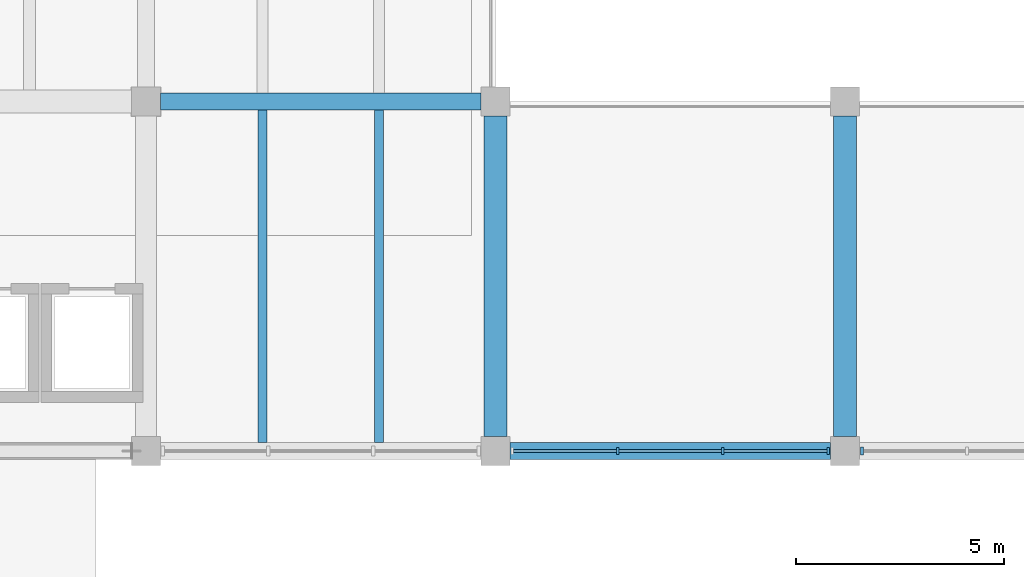
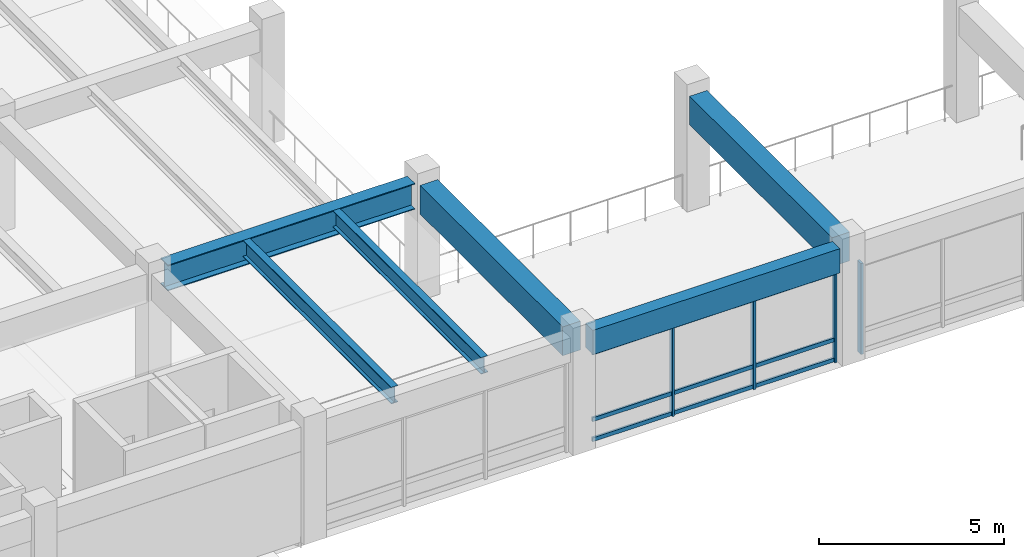
# One storey, part 48 of 132: 13 members, 6 beams, 2 elements without a shape of their own.
"""IFC4 building model written with IfcOpenShell, lengths in metres."""

from ifc_helpers import new_model, si_unit, direction, frame, origin, origin_2d, place, context, subcontext, project, spatial, rectangle, i_section, extrude, material, material_profile, profile_set, type_object, element, aggregate, save


model = new_model("IFC4")

# Units and contexts
model_context = context("Model", 3, precision=1e-05, world=origin(), true_north=direction((0.0, 1.0)))
body_context = subcontext(model_context, "Body", "Model", "MODEL_VIEW")
ifc_project = project(units=[si_unit("LENGTHUNIT", "METRE"), si_unit("AREAUNIT", "SQUARE_METRE"), si_unit("VOLUMEUNIT", "CUBIC_METRE"), si_unit("PLANEANGLEUNIT", "RADIAN"), si_unit("MASSUNIT", "GRAM", prefix="KILO")], contexts=[model_context])

# Site, building, storey
site_placement = place(None, origin())
site = spatial("IfcSite", under=ifc_project, at=site_placement, CompositionType="ELEMENT")
building_placement = place(site_placement, origin())
building = spatial("IfcBuilding", under=site, at=building_placement, Name="Cumbredor Promenade Congress Hotel", CompositionType="ELEMENT")
storey_placement = place(building_placement, frame((0.0, 0.0, 7.56005859375)))
storey = spatial("IfcBuildingStorey", under=building, at=storey_placement, Name="L02", CompositionType="ELEMENT", Elevation=7.56005859375)

# Beams
ifc_material_1 = material(Name="Concrete C40/50", Category="concrete")
ifc_material_profile_1 = material_profile(ifc_material_1, rectangle(XDim=0.550048828125, YDim=0.949951171875, at=origin_2d()), Name="RC BEAM 550x950")
ifc_profile_set_1 = profile_set([ifc_material_profile_1], Name="Concrete C40/50")
beam_type_1 = type_object("IfcBeamType", Name="BM-RC-550x950", PredefinedType="BEAM", material=ifc_profile_set_1)
for number, where, z_axis, x_axis, name in (
    (1, (117.60009765625, 84.35009765625, 3.324951171875), (0.0, 1.0, 0.0), (-1.0, 0.0, 0.0), "L03 Y-Grid Beam 175"),
    (2, (126.0, 84.35009765625, 3.324951171875), (0.0, 1.0, 0.0), (-1.0, 0.0, 0.0), "L03 Y-Grid Beam 179"),
):
    element("IfcBeam", number, at=place(storey_placement, frame(where, z_axis=z_axis, x_axis=x_axis)), inside=storey, type_object=beam_type_1, Name=name, PredefinedType="BEAM", context=body_context, shape_type="SweptSolid", body=[
        extrude(rectangle(XDim=0.550048828125, YDim=0.949951171875, at=origin_2d()), origin(), (0.0, 0.0, 1.0), 7.699951171875),
    ])
ifc_material_2 = material(Name="Steel ASTM A992 Grade 50", Category="steel")
ifc_material_profile_2 = material_profile(ifc_material_2, i_section(OverallWidth=0.39990234375, OverallDepth=0.85498046875, WebThickness=0.018310546875, FlangeThickness=0.029296875, at=origin_2d()), Name="W33X201")
ifc_profile_set_2 = profile_set([ifc_material_profile_2], Name="Steel ASTM A992 Grade 50")
beam_type_2 = type_object("IfcBeamType", Name="BM-W33X201", PredefinedType="BEAM", material=ifc_profile_set_2)
beam_1_placement = place(storey_placement, frame((109.550048828125, 92.39990234375, 3.37255859375), z_axis=(1.0, 0.0, 0.0), x_axis=(0.0, 1.0, 0.0)))
element("IfcBeam", 3, at=beam_1_placement, inside=storey, type_object=beam_type_2, Name="L03 X-Grid Beam 167", PredefinedType="BEAM", context=body_context, shape_type="SweptSolid", body=[
    extrude(i_section(OverallWidth=0.39990234375, OverallDepth=0.85498046875, WebThickness=0.018310546875, FlangeThickness=0.029296875, at=origin_2d()), origin(), (0.0, 0.0, 1.0), 7.699951171875),
])

# Curtain wall, members
ifc_material_3 = material(Name="Thermally broken anodized aluminium and low-E glass", Category="aluminium")
curtain_wall_type = type_object("IfcCurtainWallType", Name="Unitised Forum Curtain Wall CW-02", PredefinedType="NOTDEFINED", material=ifc_material_3)
curtain_wall_1_placement = place(storey_placement, origin())
curtain_wall_1 = element("IfcCurtainWall", 4, at=curtain_wall_1_placement, inside=storey, type_object=curtain_wall_type, Name="L02 Pre-Function and Breakout Meeting Forum South Curtain Wall 4", PredefinedType="NOTDEFINED")
ifc_material_4 = material(Name="Thermally broken anodized aluminium", Category="aluminium")
ifc_material_profile_3 = material_profile(ifc_material_4, rectangle(XDim=0.06494140625, YDim=0.159912109375, at=origin_2d()), Name="ALU MULLION 65x160")
ifc_profile_set_3 = profile_set([ifc_material_profile_3], Name="Thermally broken anodized aluminium")
member_type_1 = type_object("IfcMemberType", Name="Curtain Wall Mullion ML-01", PredefinedType="MULLION", material=ifc_profile_set_3)
member_1_placement = place(storey_placement, frame((120.534912109375, 84.0, -0.008056640625), z_axis=(0.0, 0.0, 1.0), x_axis=(1.0, 0.0, 0.0)))
member_1 = element("IfcMember", 5, at=member_1_placement, type_object=member_type_1, Name="L02 Pre-Function and Breakout Meeting Forum South Curtain Wall 4 Mullion 2", PredefinedType="MULLION", context=body_context, shape_type="SweptSolid", body=[
    extrude(rectangle(XDim=0.06494140625, YDim=0.159912109375, at=origin_2d()), origin(), (0.0, 0.0, 1.0), 3.0009765625),
])
member_2_placement = place(storey_placement, frame((123.06494140625, 84.0, -0.008056640625), z_axis=(0.0, 0.0, 1.0), x_axis=(1.0, 0.0, 0.0)))
member_2 = element("IfcMember", 6, at=member_2_placement, type_object=member_type_1, Name="L02 Pre-Function and Breakout Meeting Forum South Curtain Wall 4 Mullion 3", PredefinedType="MULLION", context=body_context, shape_type="SweptSolid", body=[
    extrude(rectangle(XDim=0.06494140625, YDim=0.159912109375, at=origin_2d()), origin(), (0.0, 0.0, 1.0), 3.0009765625),
])
member_3_placement = place(storey_placement, frame((125.594970703125, 84.0, -0.008056640625), z_axis=(0.0, 0.0, 1.0), x_axis=(1.0, 0.0, 0.0)))
member_3 = element("IfcMember", 7, at=member_3_placement, type_object=member_type_1, Name="L02 Pre-Function and Breakout Meeting Forum South Curtain Wall 4 Mullion 4", PredefinedType="MULLION", context=body_context, shape_type="SweptSolid", body=[
    extrude(rectangle(XDim=0.06494140625, YDim=0.159912109375, at=origin_2d()), origin(), (0.0, 0.0, 1.0), 3.0009765625),
])

# Curtain wall, member
curtain_wall_2_placement = place(storey_placement, origin())
curtain_wall_2 = element("IfcCurtainWall", 8, at=curtain_wall_2_placement, inside=storey, type_object=curtain_wall_type, Name="L02 Pre-Function and Breakout Meeting Forum South Curtain Wall 5", PredefinedType="NOTDEFINED")
ifc_material_profile_4 = material_profile(ifc_material_4, rectangle(XDim=0.074951171875, YDim=0.199951171875, at=origin_2d()), Name="ALU MULLION 75x200")
ifc_profile_set_4 = profile_set([ifc_material_profile_4], Name="Thermally broken anodized aluminium")
member_type_2 = type_object("IfcMemberType", Name="Curtain Wall Mullion ML-02", PredefinedType="MULLION", material=ifc_profile_set_4)
member_4_placement = place(storey_placement, frame((126.405029296875, 84.0, -0.008056640625), z_axis=(0.0, 0.0, 1.0), x_axis=(1.0, 0.0, 0.0)))
member_4 = element("IfcMember", 9, at=member_4_placement, type_object=member_type_2, Name="L02 Pre-Function and Breakout Meeting Forum South Curtain Wall 5 Mullion 1", PredefinedType="MULLION", context=body_context, shape_type="SweptSolid", body=[
    extrude(rectangle(XDim=0.074951171875, YDim=0.199951171875, at=origin_2d()), origin(), (0.0, 0.0, 1.0), 3.0009765625),
])
aggregate(curtain_wall_2, [member_4])

# Member
ifc_material_profile_5 = material_profile(ifc_material_4, rectangle(XDim=0.06494140625, YDim=0.1298828125, at=origin_2d()), Name="ALU TRANSOM 65x130")
ifc_profile_set_5 = profile_set([ifc_material_profile_5], Name="Thermally broken anodized aluminium")
member_type_3 = type_object("IfcMemberType", Name="Curtain Wall Transom TR-01", PredefinedType="USERDEFINED", material=ifc_profile_set_5)
member_5_placement = place(storey_placement, frame((118.03759765625, 84.0, 0.06005859375), z_axis=(1.0, 0.0, 0.0), x_axis=(0.0, 1.0, 0.0)))
member_5 = element("IfcMember", 10, at=member_5_placement, type_object=member_type_3, Name="L02 Pre-Function and Breakout Meeting Forum South Curtain Wall 4 Transom 1.1", ObjectType="TRANSOM", PredefinedType="USERDEFINED", context=body_context, shape_type="SweptSolid", body=[
    extrude(rectangle(XDim=0.06494140625, YDim=0.1298828125, at=origin_2d()), origin(), (0.0, 0.0, 1.0), 2.46484375),
])

member_6_placement = place(storey_placement, frame((118.03759765625, 84.0, 0.719970703125), z_axis=(1.0, 0.0, 0.0), x_axis=(0.0, 1.0, 0.0)))
member_6 = element("IfcMember", 11, at=member_6_placement, type_object=member_type_3, Name="L02 Pre-Function and Breakout Meeting Forum South Curtain Wall 4 Transom 1.2", ObjectType="TRANSOM", PredefinedType="USERDEFINED", context=body_context, shape_type="SweptSolid", body=[
    extrude(rectangle(XDim=0.06494140625, YDim=0.1298828125, at=origin_2d()), origin(), (0.0, 0.0, 1.0), 2.46484375),
])

member_7_placement = place(storey_placement, frame((118.03759765625, 84.0, 2.919921875), z_axis=(1.0, 0.0, 0.0), x_axis=(0.0, 1.0, 0.0)))
member_7 = element("IfcMember", 12, at=member_7_placement, type_object=member_type_3, Name="L02 Pre-Function and Breakout Meeting Forum South Curtain Wall 4 Transom 1.3", ObjectType="TRANSOM", PredefinedType="USERDEFINED", context=body_context, shape_type="SweptSolid", body=[
    extrude(rectangle(XDim=0.06494140625, YDim=0.1298828125, at=origin_2d()), origin(), (0.0, 0.0, 1.0), 2.46484375),
])

member_8_placement = place(storey_placement, frame((120.5673828125, 84.0, 0.06005859375), z_axis=(1.0, 0.0, 0.0), x_axis=(0.0, 1.0, 0.0)))
member_8 = element("IfcMember", 13, at=member_8_placement, type_object=member_type_3, Name="L02 Pre-Function and Breakout Meeting Forum South Curtain Wall 4 Transom 2.1", ObjectType="TRANSOM", PredefinedType="USERDEFINED", context=body_context, shape_type="SweptSolid", body=[
    extrude(rectangle(XDim=0.06494140625, YDim=0.1298828125, at=origin_2d()), origin(), (0.0, 0.0, 1.0), 2.465087890625),
])

member_9_placement = place(storey_placement, frame((120.5673828125, 84.0, 0.719970703125), z_axis=(1.0, 0.0, 0.0), x_axis=(0.0, 1.0, 0.0)))
member_9 = element("IfcMember", 14, at=member_9_placement, type_object=member_type_3, Name="L02 Pre-Function and Breakout Meeting Forum South Curtain Wall 4 Transom 2.2", ObjectType="TRANSOM", PredefinedType="USERDEFINED", context=body_context, shape_type="SweptSolid", body=[
    extrude(rectangle(XDim=0.06494140625, YDim=0.1298828125, at=origin_2d()), origin(), (0.0, 0.0, 1.0), 2.465087890625),
])

member_10_placement = place(storey_placement, frame((120.5673828125, 84.0, 2.919921875), z_axis=(1.0, 0.0, 0.0), x_axis=(0.0, 1.0, 0.0)))
member_10 = element("IfcMember", 15, at=member_10_placement, type_object=member_type_3, Name="L02 Pre-Function and Breakout Meeting Forum South Curtain Wall 4 Transom 2.3", ObjectType="TRANSOM", PredefinedType="USERDEFINED", context=body_context, shape_type="SweptSolid", body=[
    extrude(rectangle(XDim=0.06494140625, YDim=0.1298828125, at=origin_2d()), origin(), (0.0, 0.0, 1.0), 2.465087890625),
])

member_11_placement = place(storey_placement, frame((123.097412109375, 84.0, 0.06005859375), z_axis=(1.0, 0.0, 0.0), x_axis=(0.0, 1.0, 0.0)))
member_11 = element("IfcMember", 16, at=member_11_placement, type_object=member_type_3, Name="L02 Pre-Function and Breakout Meeting Forum South Curtain Wall 4 Transom 3.1", ObjectType="TRANSOM", PredefinedType="USERDEFINED", context=body_context, shape_type="SweptSolid", body=[
    extrude(rectangle(XDim=0.06494140625, YDim=0.1298828125, at=origin_2d()), origin(), (0.0, 0.0, 1.0), 2.465087890625),
])

member_12_placement = place(storey_placement, frame((123.097412109375, 84.0, 0.719970703125), z_axis=(1.0, 0.0, 0.0), x_axis=(0.0, 1.0, 0.0)))
member_12 = element("IfcMember", 17, at=member_12_placement, type_object=member_type_3, Name="L02 Pre-Function and Breakout Meeting Forum South Curtain Wall 4 Transom 3.2", ObjectType="TRANSOM", PredefinedType="USERDEFINED", context=body_context, shape_type="SweptSolid", body=[
    extrude(rectangle(XDim=0.06494140625, YDim=0.1298828125, at=origin_2d()), origin(), (0.0, 0.0, 1.0), 2.465087890625),
])

member_13_placement = place(storey_placement, frame((123.097412109375, 84.0, 2.919921875), z_axis=(1.0, 0.0, 0.0), x_axis=(0.0, 1.0, 0.0)))
member_13 = element("IfcMember", 18, at=member_13_placement, type_object=member_type_3, Name="L02 Pre-Function and Breakout Meeting Forum South Curtain Wall 4 Transom 3.3", ObjectType="TRANSOM", PredefinedType="USERDEFINED", context=body_context, shape_type="SweptSolid", body=[
    extrude(rectangle(XDim=0.06494140625, YDim=0.1298828125, at=origin_2d()), origin(), (0.0, 0.0, 1.0), 2.465087890625),
])

aggregate(curtain_wall_1, [member_1, member_2, member_3, member_5, member_6, member_7, member_8, member_9, member_10, member_11, member_12, member_13])

# Beams
ifc_material_profile_6 = material_profile(ifc_material_2, i_section(OverallWidth=0.214111328125, OverallDepth=0.549072265625, WebThickness=0.0146484375, FlangeThickness=0.023681640625, at=origin_2d()), Name="W21X93")
ifc_profile_set_6 = profile_set([ifc_material_profile_6], Name="Steel ASTM A992 Grade 50")
beam_type_3 = type_object("IfcBeamType", Name="JST-W21X93", PredefinedType="JOIST", material=ifc_profile_set_6)
for number, where, z_axis, x_axis, name in (
    (19, (112.0, 84.199951171875, 3.525390625), (0.0, 1.0, 0.0), (-1.0, 0.0, 0.0), "L03 Secondary Floor Joist 0100"),
    (20, (114.800048828125, 84.199951171875, 3.525390625), (0.0, 1.0, 0.0), (-1.0, 0.0, 0.0), "L03 Secondary Floor Joist 0101"),
):
    element("IfcBeam", number, at=place(storey_placement, frame(where, z_axis=z_axis, x_axis=x_axis)), inside=storey, type_object=beam_type_3, Name=name, PredefinedType="JOIST", context=body_context, shape_type="SweptSolid", body=[
        extrude(i_section(OverallWidth=0.214111328125, OverallDepth=0.549072265625, WebThickness=0.0146484375, FlangeThickness=0.023681640625, at=origin_2d()), origin(), (0.0, 0.0, 1.0), 8.0),
    ])
ifc_material_profile_7 = material_profile(ifc_material_1, rectangle(XDim=0.39990234375, YDim=0.800048828125, at=origin_2d()), Name="RC SPANDREL 400x800")
ifc_profile_set_7 = profile_set([ifc_material_profile_7], Name="Concrete C40/50")
beam_type_4 = type_object("IfcBeamType", Name="SP-RC-400x800", PredefinedType="SPANDREL", material=ifc_profile_set_7)
beam_2_placement = place(storey_placement, frame((117.949951171875, 84.0, 3.39990234375), z_axis=(1.0, 0.0, 0.0), x_axis=(0.0, 1.0, 0.0)))
element("IfcBeam", 21, at=beam_2_placement, inside=storey, type_object=beam_type_4, Name="L03 X-Grid Beam 174", PredefinedType="SPANDREL", context=body_context, shape_type="SweptSolid", body=[
    extrude(rectangle(XDim=0.39990234375, YDim=0.800048828125, at=origin_2d()), origin(), (0.0, 0.0, 1.0), 7.699951171875),
])

save(model, "model.ifc")
